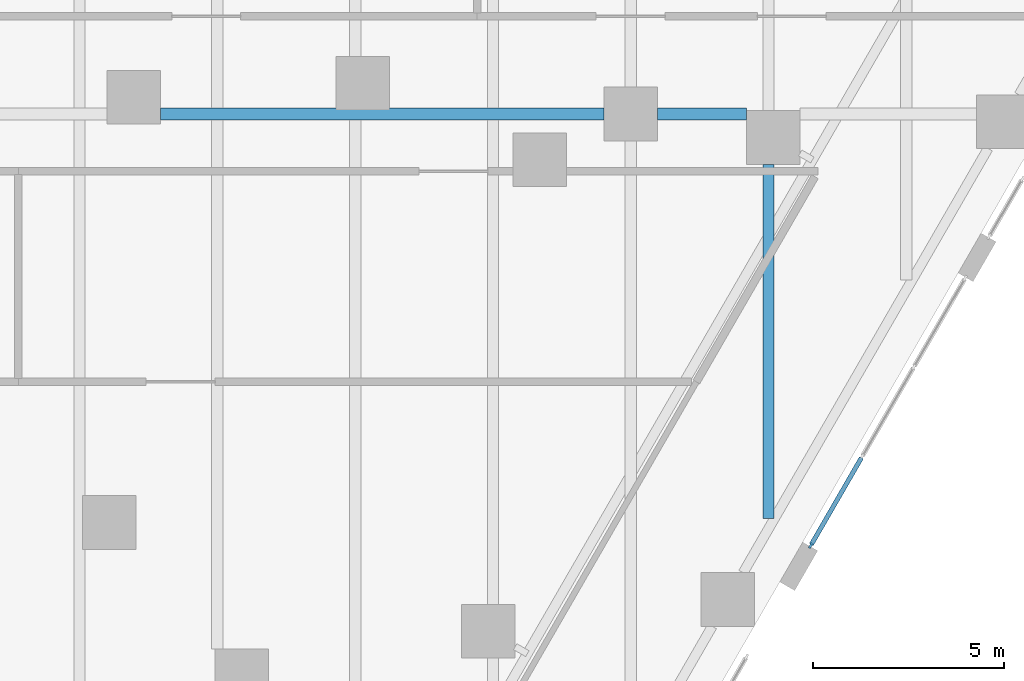
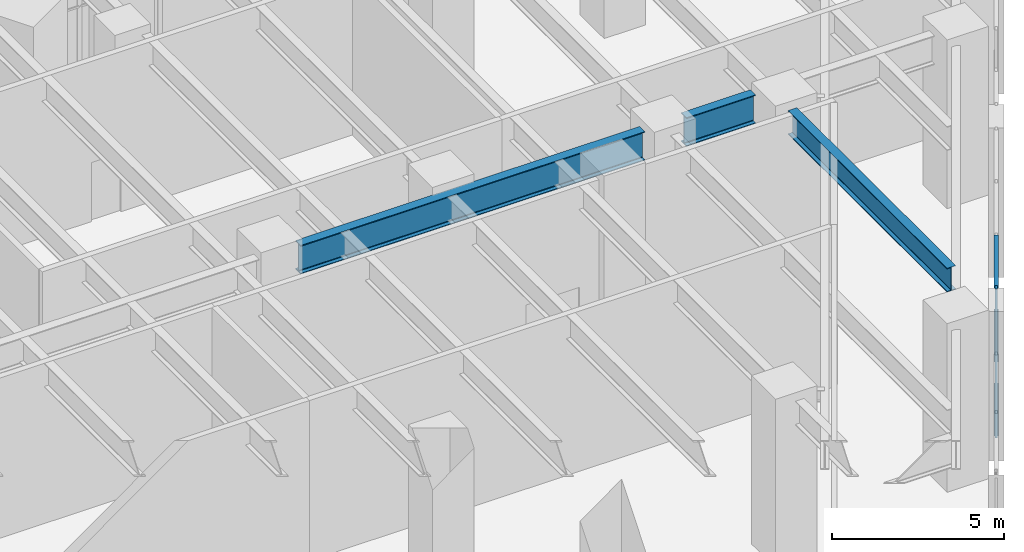
# One storey, part 18 of 37: 4 members, 3 beams, 1 element without a shape of its own.
"""IFC4 building model written with IfcOpenShell, lengths in metres."""

from ifc_helpers import new_model, si_unit, direction, frame, origin, origin_2d, place, context, subcontext, project, spatial, rectangle, i_section, extrude, material, material_profile, profile_set, type_object, element, aggregate, save


model = new_model("IFC4")

# Units and contexts
model_context = context("Model", 3, precision=1e-05, world=origin(), true_north=direction((0.0, 1.0)))
body_context = subcontext(model_context, "Body", "Model", "MODEL_VIEW")
ifc_project = project(units=[si_unit("LENGTHUNIT", "METRE"), si_unit("AREAUNIT", "SQUARE_METRE"), si_unit("VOLUMEUNIT", "CUBIC_METRE"), si_unit("PLANEANGLEUNIT", "RADIAN"), si_unit("MASSUNIT", "GRAM", prefix="KILO")], contexts=[model_context])

# Site, building, storey
site_placement = place(None, origin())
site = spatial("IfcSite", under=ifc_project, at=site_placement, CompositionType="ELEMENT")
building_placement = place(site_placement, origin())
building = spatial("IfcBuilding", under=site, at=building_placement, Name="Aloe Facet Convention Tower", CompositionType="ELEMENT")
storey_placement = place(building_placement, frame((0.0, 0.0, 7.5)))
storey = spatial("IfcBuildingStorey", under=building, at=storey_placement, Name="L01", CompositionType="ELEMENT", Elevation=7.5)

# Curtain wall, members
ifc_material_1 = material(Name="Aluminium, anodised", Category="aluminium")
curtain_wall_type = type_object("IfcCurtainWallType", Name="EV-CW-SHOP", PredefinedType="USERDEFINED", material=ifc_material_1)
curtain_wall_placement = place(storey_placement, origin())
curtain_wall = element("IfcCurtainWall", 1, at=curtain_wall_placement, inside=storey, type_object=curtain_wall_type, Name="CW-L01-E18", ObjectType="STICK SHOPFRONT GLAZING", PredefinedType="USERDEFINED")
ifc_material_2 = material(Name="Aluminium, anodised", Category="aluminium")
ifc_material_profile_1 = material_profile(ifc_material_2, rectangle(XDim=0.06005859375, YDim=0.159912109375, at=origin_2d()), Name="AL 60x160")
ifc_profile_set_1 = profile_set([ifc_material_profile_1], Name="Aluminium, anodised")
member_type_1 = type_object("IfcMemberType", Name="EV-MULL-SHOP", PredefinedType="MULLION", material=ifc_profile_set_1)
member_1_placement = place(storey_placement, frame((120.70556640625, 105.724609375, -0.300048828125), z_axis=(0.0, 0.0, 1.0), x_axis=(-0.866025403776, 0.500000000015, 0.0)))
member_1 = element("IfcMember", 2, at=member_1_placement, type_object=member_type_1, Name="CW-L01-E18 mullion 1", PredefinedType="MULLION", context=body_context, shape_type="SweptSolid", body=[
    extrude(rectangle(XDim=0.06005859375, YDim=0.159912109375, at=origin_2d()), origin(), (0.0, 0.0, 1.0), 5.3125),
])
ifc_material_3 = material(Name="Aluminium, anodised", Category="aluminium")
ifc_material_profile_2 = material_profile(ifc_material_3, rectangle(XDim=0.1201171875, YDim=0.06005859375, at=origin_2d()), Name="AL 120x60")
ifc_profile_set_2 = profile_set([ifc_material_profile_2], Name="Aluminium, anodised")
member_type_2 = type_object("IfcMemberType", Name="EV-TRAN-SHOP", PredefinedType="USERDEFINED", material=ifc_profile_set_2)
member_2_placement = place(storey_placement, frame((120.720703125, 105.750732421875, -0.27001953125), z_axis=(0.499962037141, 0.866047320542, 0.0), x_axis=(-0.866047320542, 0.499962037141, 0.0)))
member_2 = element("IfcMember", 3, at=member_2_placement, type_object=member_type_2, Name="CW-L01-E18 transom 1.1", ObjectType="TRANSOM", PredefinedType="USERDEFINED", context=body_context, shape_type="SweptSolid", body=[
    extrude(rectangle(XDim=0.1201171875, YDim=0.06005859375, at=origin_2d()), origin(), (0.0, 0.0, 1.0), 2.616943359375),
])
member_3_placement = place(storey_placement, frame((120.720703125, 105.750732421875, 2.356201171875), z_axis=(0.499962037141, 0.866047320542, 0.0), x_axis=(-0.866047320542, 0.499962037141, 0.0)))
member_3 = element("IfcMember", 4, at=member_3_placement, type_object=member_type_2, Name="CW-L01-E18 transom 1.2", ObjectType="TRANSOM", PredefinedType="USERDEFINED", context=body_context, shape_type="SweptSolid", body=[
    extrude(rectangle(XDim=0.1201171875, YDim=0.06005859375, at=origin_2d()), origin(), (0.0, 0.0, 1.0), 2.616943359375),
])
member_4_placement = place(storey_placement, frame((120.720703125, 105.750732421875, 4.982421875), z_axis=(0.499962037141, 0.866047320542, 0.0), x_axis=(-0.866047320542, 0.499962037141, 0.0)))
member_4 = element("IfcMember", 5, at=member_4_placement, type_object=member_type_2, Name="CW-L01-E18 transom 1.3", ObjectType="TRANSOM", PredefinedType="USERDEFINED", context=body_context, shape_type="SweptSolid", body=[
    extrude(rectangle(XDim=0.1201171875, YDim=0.06005859375, at=origin_2d()), origin(), (0.0, 0.0, 1.0), 2.616943359375),
])
aggregate(curtain_wall, [member_1, member_2, member_3, member_4])

# Beams
ifc_material_4 = material(Name="Steel S355", Category="steel")
ifc_material_profile_3 = material_profile(ifc_material_4, i_section(OverallWidth=0.305419921875, OverallDepth=1.02587890625, WebThickness=0.02001953125, FlangeThickness=0.031005859375, FilletRadius=0.030029296875, at=origin_2d()), Name="UB 1016x305x349")
ifc_profile_set_3 = profile_set([ifc_material_profile_3], Name="Steel S355")
beam_type_1 = type_object("IfcBeamType", Name="SF-B-UB1016x305x349", PredefinedType="BEAM", material=ifc_profile_set_3)
beam_1_placement = place(storey_placement, frame((103.716064453125, 117.0, 5.18701171875), z_axis=(1.0, 0.0, 0.0), x_axis=(0.0, 1.0, 0.0)))
element("IfcBeam", 6, at=beam_1_placement, inside=storey, type_object=beam_type_1, Name="Floor beam FB-L02-047", PredefinedType="BEAM", context=body_context, shape_type="SweptSolid", body=[
    extrude(i_section(OverallWidth=0.305419921875, OverallDepth=1.02587890625, WebThickness=0.02001953125, FlangeThickness=0.031005859375, FilletRadius=0.030029296875, at=origin_2d()), origin(), (0.0, 0.0, 1.0), 11.583984375),
])
beam_2_placement = place(storey_placement, frame((116.699951171875, 117.0, 5.18701171875), z_axis=(1.0, 0.0, 0.0), x_axis=(0.0, 1.0, 0.0)))
element("IfcBeam", 7, at=beam_2_placement, inside=storey, type_object=beam_type_1, Name="Floor beam FB-L02-048", PredefinedType="BEAM", context=body_context, shape_type="SweptSolid", body=[
    extrude(i_section(OverallWidth=0.305419921875, OverallDepth=1.02587890625, WebThickness=0.02001953125, FlangeThickness=0.031005859375, FilletRadius=0.030029296875, at=origin_2d()), origin(), (0.0, 0.0, 1.0), 2.330078125),
])
ifc_material_5 = material(Name="Steel S355", Category="steel")
ifc_material_profile_4 = material_profile(ifc_material_5, i_section(OverallWidth=0.293701171875, OverallDepth=0.850830078125, WebThickness=0.01611328125, FlangeThickness=0.02685546875, FilletRadius=0.017822265625, at=origin_2d()), Name="UB 838x292x226")
ifc_profile_set_4 = profile_set([ifc_material_profile_4], Name="Steel S355")
beam_type_2 = type_object("IfcBeamType", Name="SF-B-UB838x292x226", PredefinedType="BEAM", material=ifc_profile_set_4)
beam_3_placement = place(storey_placement, frame((119.60009765625, 106.42431640625, 5.2744140625), z_axis=(0.0, 1.0, 0.0), x_axis=(-1.0, 0.0, 0.0)))
element("IfcBeam", 8, at=beam_3_placement, inside=storey, type_object=beam_type_2, Name="Floor beam FB-L02-162", PredefinedType="BEAM", context=body_context, shape_type="SweptSolid", body=[
    extrude(i_section(OverallWidth=0.293701171875, OverallDepth=0.850830078125, WebThickness=0.01611328125, FlangeThickness=0.02685546875, FilletRadius=0.017822265625, at=origin_2d()), origin(), (0.0, 0.0, 1.0), 9.2607421875),
])

save(model, "model.ifc")
